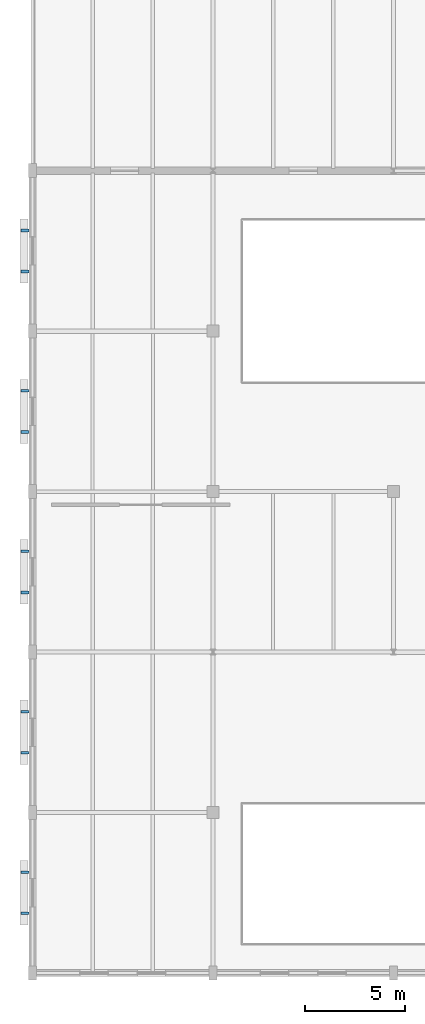
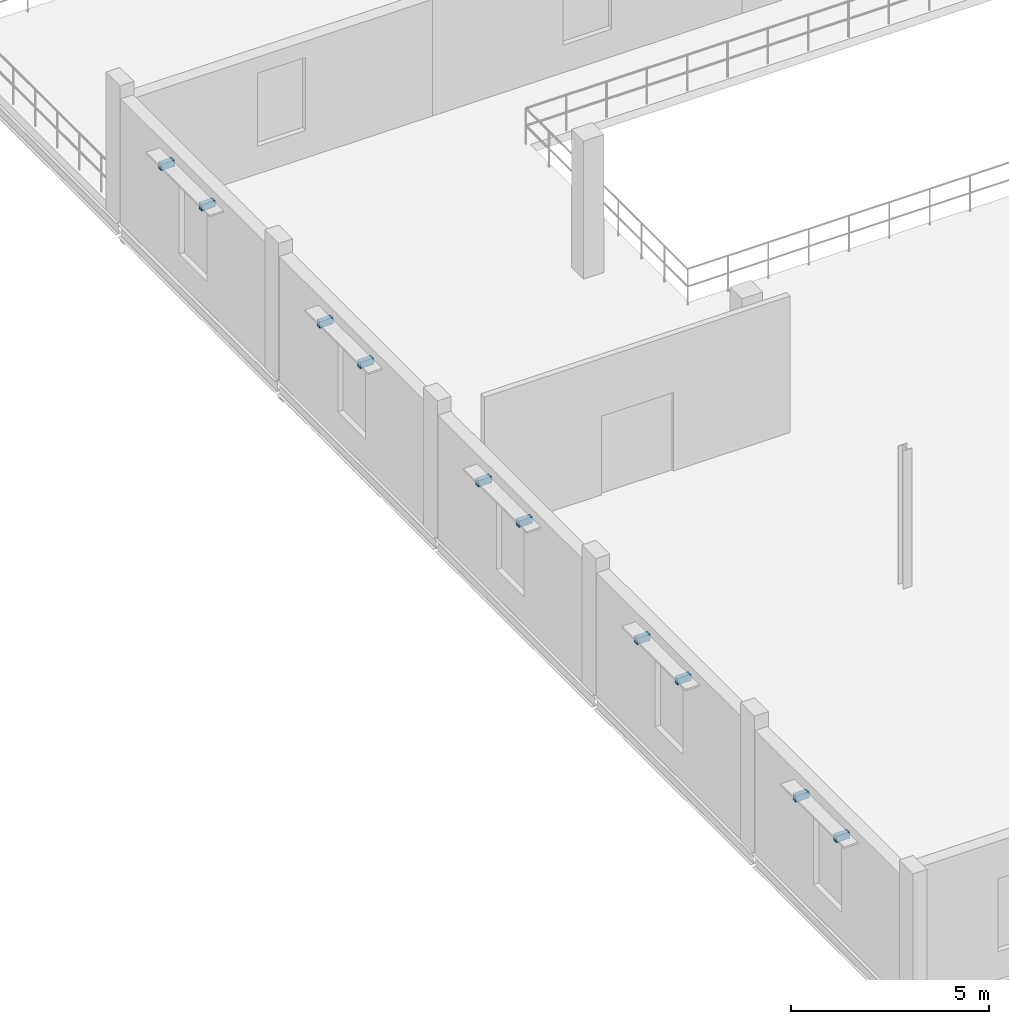
# One storey, part 62 of 73: 10 discrete accessories.
"""IFC4 building model written with IfcOpenShell, lengths in metres."""

from ifc_helpers import new_model, si_unit, direction, frame, origin, origin_2d, place, context, subcontext, project, spatial, rectangle, extrude, material, type_object, element, save


model = new_model("IFC4")

# Units and contexts
model_context = context("Model", 3, precision=1e-05, world=origin(), true_north=direction((0.0, 1.0)))
body_context = subcontext(model_context, "Body", "Model", "MODEL_VIEW")
ifc_project = project(units=[si_unit("LENGTHUNIT", "METRE"), si_unit("AREAUNIT", "SQUARE_METRE"), si_unit("VOLUMEUNIT", "CUBIC_METRE"), si_unit("PLANEANGLEUNIT", "RADIAN"), si_unit("MASSUNIT", "GRAM", prefix="KILO")], contexts=[model_context])

# Site, building, storey
site_placement = place(None, origin())
site = spatial("IfcSite", under=ifc_project, at=site_placement, CompositionType="ELEMENT")
building_placement = place(site_placement, origin())
building = spatial("IfcBuilding", under=site, at=building_placement, Name="Marnock Terrace Opera House", CompositionType="ELEMENT")
storey_placement = place(building_placement, frame((0.0, 0.0, 14.699951171875)))
storey = spatial("IfcBuildingStorey", under=building, at=storey_placement, Name="L03", CompositionType="ELEMENT", Elevation=14.699951171875)

# Discrete accessories
ifc_material = material(Name="Galvanised architectural steel framing", Category="steel")
discrete_accessory_type = type_object("IfcDiscreteAccessoryType", Name="ACC-BRACKET-400", PredefinedType="BRACKET", material=ifc_material)
for number, where, z_axis, x_axis, name in (
    (1, (-0.362548828125, 10.97607421875, 3.3544921875), (0.0, 0.0, 1.0), (0.0, 1.0, 0.0), "Brise-soleil support bracket EW-V3W-L03-1.A"),
    (2, (-0.362548828125, 13.02392578125, 3.3544921875), (0.0, 0.0, 1.0), (0.0, 1.0, 0.0), "Brise-soleil support bracket EW-V3W-L03-1.B"),
    (3, (-0.362548828125, 18.97607421875, 3.3544921875), (0.0, 0.0, 1.0), (0.0, 1.0, 0.0), "Brise-soleil support bracket EW-V3W-L03-2.A"),
    (4, (-0.362548828125, 21.02392578125, 3.3544921875), (0.0, 0.0, 1.0), (0.0, 1.0, 0.0), "Brise-soleil support bracket EW-V3W-L03-2.B"),
    (5, (-0.362548828125, 26.97607421875, 3.3544921875), (0.0, 0.0, 1.0), (0.0, 1.0, 0.0), "Brise-soleil support bracket EW-V3W-L03-3.A"),
    (6, (-0.362548828125, 29.02392578125, 3.3544921875), (0.0, 0.0, 1.0), (0.0, 1.0, 0.0), "Brise-soleil support bracket EW-V3W-L03-3.B"),
    (7, (-0.362548828125, 34.97607421875, 3.3916015625), (0.0, 0.0, 1.0), (0.0, 1.0, 0.0), "Brise-soleil support bracket EW-V3W-L03-4.A"),
    (8, (-0.362548828125, 37.02392578125, 3.3916015625), (0.0, 0.0, 1.0), (0.0, 1.0, 0.0), "Brise-soleil support bracket EW-V3W-L03-4.B"),
    (9, (-0.362548828125, 42.97607421875, 3.3916015625), (0.0, 0.0, 1.0), (0.0, 1.0, 0.0), "Brise-soleil support bracket EW-V3W-L03-5.A"),
    (10, (-0.362548828125, 45.02392578125, 3.3916015625), (0.0, 0.0, 1.0), (0.0, 1.0, 0.0), "Brise-soleil support bracket EW-V3W-L03-5.B"),
):
    element("IfcDiscreteAccessory", number, at=place(storey_placement, frame(where, z_axis=z_axis, x_axis=x_axis)), inside=storey, type_object=discrete_accessory_type, Name=name, PredefinedType="BRACKET", context=body_context, shape_type="SweptSolid", body=[
        extrude(rectangle(XDim=0.139892578125, YDim=0.39990234375, at=origin_2d()), origin(), (0.0, 0.0, 1.0), 0.199951171875),
    ])

save(model, "model.ifc")
